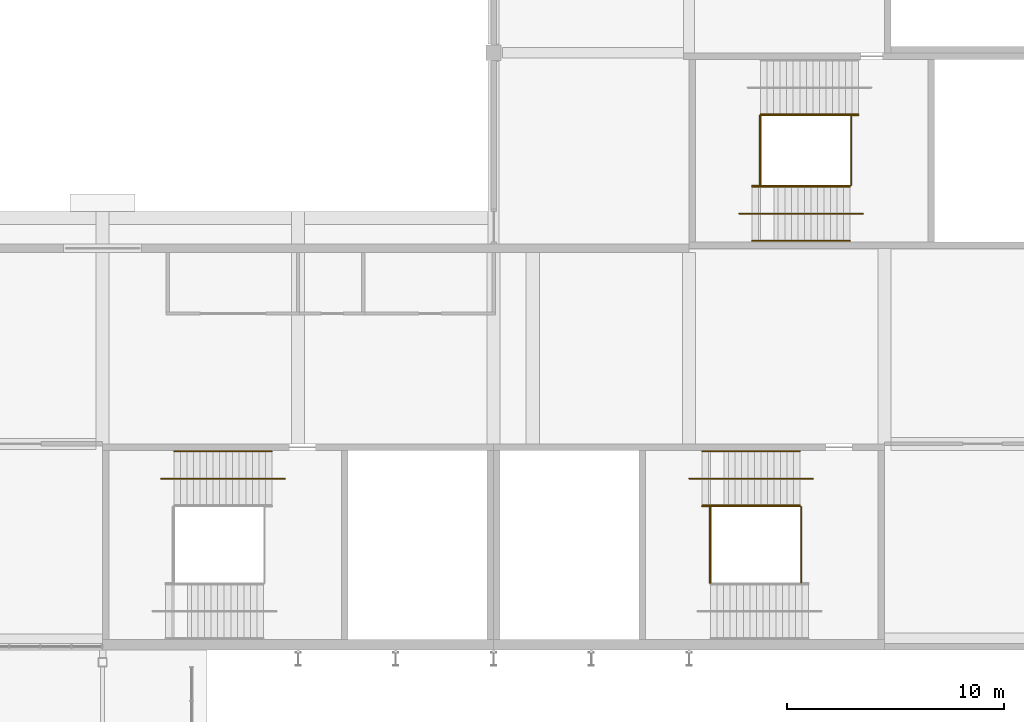
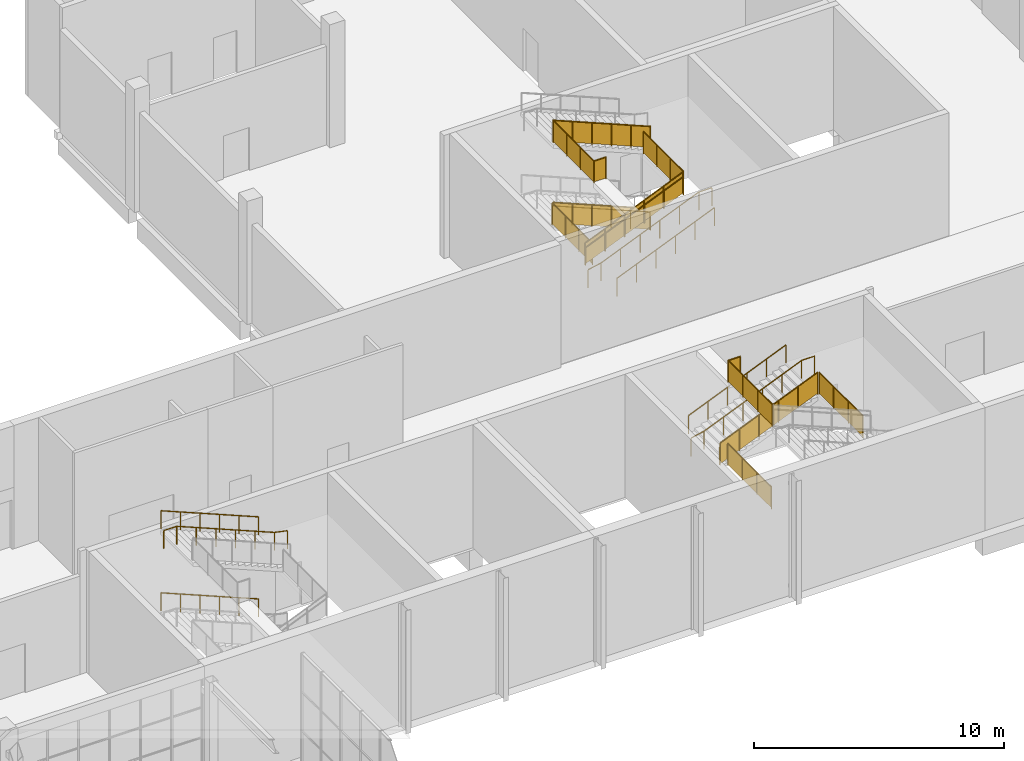
# One storey, part 74 of 89: 20 railings.
"""IFC4 building model written with IfcOpenShell, lengths in metres."""

from ifc_helpers import new_model, si_unit, direction, frame, origin, origin_2d, place, context, subcontext, project, spatial, polyline, circle, outline, extrude, material, type_object, element, save


model = new_model("IFC4")

# Units and contexts
model_context = context("Model", 3, precision=1e-05, world=origin(), true_north=direction((0.0, 1.0)))
body_context = subcontext(model_context, "Body", "Model", "MODEL_VIEW")
ifc_project = project(units=[si_unit("LENGTHUNIT", "METRE"), si_unit("AREAUNIT", "SQUARE_METRE"), si_unit("VOLUMEUNIT", "CUBIC_METRE"), si_unit("PLANEANGLEUNIT", "RADIAN"), si_unit("MASSUNIT", "GRAM", prefix="KILO")], contexts=[model_context])

# Site, building, storey
site_placement = place(None, origin())
site = spatial("IfcSite", under=ifc_project, at=site_placement, CompositionType="ELEMENT")
building_placement = place(site_placement, origin())
building = spatial("IfcBuilding", under=site, at=building_placement, Name="Silverbay Arena", CompositionType="ELEMENT")
storey_placement = place(building_placement, frame((0.0, 0.0, 22.0)))
storey = spatial("IfcBuildingStorey", under=building, at=storey_placement, Name="L03", CompositionType="ELEMENT", Elevation=22.0)

# Railings
ifc_material_1 = material(Name="Stainless steel", Category="steel")
railing_type_1 = type_object("IfcRailingType", Name="Stair guard 1100", PredefinedType="GUARDRAIL", material=ifc_material_1)
railing_1_placement = place(storey_placement, frame((171.60009765625, 24.125, 2.125)))
element("IfcRailing", 1, at=railing_1_placement, inside=storey, type_object=railing_type_1, Name="Stair ST-S4 L03 to L04 flight 2 guard right", PredefinedType="GUARDRAIL", context=body_context, shape_type="SweptSolid", body=[
    extrude(circle(Radius=0.02392578125, at=origin_2d()), frame((0.0, 0.0, 1.076171875), z_axis=(0.923076923077, 0.0, 0.384615384615), x_axis=(0.0, 1.0, 0.0)), (0.0, 0.0, 1.0), 4.875),
    extrude(outline(polyline([(-0.008056640625, 0.046630859375), (0.907958984375, 0.42822265625), (0.907958984375, 1.431396484375), (-0.008056640625, 1.049560546875), (-0.008056640625, 0.046630859375)])), frame((0.0, 0.0029296875, 0.0), z_axis=(0.0, -1.0, 0.0), x_axis=(1.0, 0.0, 0.0)), (0.0, 0.0, 1.0), 0.006103515625),
    extrude(outline(polyline([(-0.008056640625, 0.421630859375), (0.907958984375, 0.80322265625), (0.907958984375, 1.806396484375), (-0.008056640625, 1.424560546875), (-0.008056640625, 0.421630859375)])), frame((0.89990234375, 0.0029296875, 0.0), z_axis=(0.0, -1.0, 0.0), x_axis=(1.0, 0.0, 0.0)), (0.0, 0.0, 1.0), 0.006103515625),
    extrude(outline(polyline([(-0.008056640625, 0.796630859375), (0.907958984375, 1.17822265625), (0.907958984375, 2.181396484375), (-0.008056640625, 1.799560546875), (-0.008056640625, 0.796630859375)])), frame((1.800048828125, 0.0029296875, 0.0), z_axis=(0.0, -1.0, 0.0), x_axis=(1.0, 0.0, 0.0)), (0.0, 0.0, 1.0), 0.006103515625),
    extrude(outline(polyline([(-0.008056640625, 1.171630859375), (0.907958984375, 1.55322265625), (0.907958984375, 2.556396484375), (-0.008056640625, 2.174560546875), (-0.008056640625, 1.171630859375)])), frame((2.699951171875, 0.0029296875, 0.0), z_axis=(0.0, -1.0, 0.0), x_axis=(1.0, 0.0, 0.0)), (0.0, 0.0, 1.0), 0.006103515625),
    extrude(outline(polyline([(-0.008056640625, 1.546630859375), (0.907958984375, 1.92822265625), (0.907958984375, 2.931396484375), (-0.008056640625, 2.549560546875), (-0.008056640625, 1.546630859375)])), frame((3.60009765625, 0.0029296875, 0.0), z_axis=(0.0, -1.0, 0.0), x_axis=(1.0, 0.0, 0.0)), (0.0, 0.0, 1.0), 0.006103515625),
    extrude(circle(Radius=0.02099609375, at=origin_2d()), origin(), (0.0, 0.0, 1.0), 1.052001953125),
    extrude(circle(Radius=0.02099609375, at=origin_2d()), frame((0.89990234375, 0.0, 0.375)), (0.0, 0.0, 1.0), 1.052001953125),
    extrude(circle(Radius=0.02099609375, at=origin_2d()), frame((1.800048828125, 0.0, 0.75)), (0.0, 0.0, 1.0), 1.052001953125),
    extrude(circle(Radius=0.02099609375, at=origin_2d()), frame((2.699951171875, 0.0, 1.125)), (0.0, 0.0, 1.0), 1.052001953125),
    extrude(circle(Radius=0.02099609375, at=origin_2d()), frame((3.60009765625, 0.0, 1.5)), (0.0, 0.0, 1.0), 1.052001953125),
    extrude(circle(Radius=0.02099609375, at=origin_2d()), frame((4.5, 0.0, 1.875)), (0.0, 0.0, 1.0), 1.052001953125),
])
for number, where, name in (
    (2, (171.93994140625, 24.10009765625, 2.0), "Stair ST-S4 L03 to L04 landing 1 guard"),
    (3, (176.14990234375, 24.10009765625, 4.0), "Stair ST-S4 L03 to L04 landing 2 guard"),
):
    element("IfcRailing", number, at=place(storey_placement, frame(where)), inside=storey, type_object=railing_type_1, Name=name, PredefinedType="GUARDRAIL", context=body_context, shape_type="SweptSolid", body=[
        extrude(circle(Radius=0.02392578125, at=origin_2d()), frame((0.0, 0.0, 1.076171875), z_axis=(0.0, -1.0, 0.0), x_axis=(1.0, 0.0, 0.0)), (0.0, 0.0, 1.0), 3.5),
        extrude(outline(polyline([(-0.008056640625, 0.050048828125), (1.174560546875, 0.050048828125), (1.174560546875, 1.052978515625), (-0.008056640625, 1.052978515625), (-0.008056640625, 0.050048828125)])), frame((0.0029296875, 0.0, 0.0), z_axis=(-1.0, 0.0, 0.0), x_axis=(0.0, -1.0, 0.0)), (0.0, 0.0, 1.0), 0.006103515625),
        extrude(outline(polyline([(-0.008056640625, 0.050048828125), (1.174560546875, 0.050048828125), (1.174560546875, 1.052978515625), (-0.008056640625, 1.052978515625), (-0.008056640625, 0.050048828125)])), frame((0.0029296875, -1.166748046875, 0.0), z_axis=(-1.0, 0.0, 0.0), x_axis=(0.0, -1.0, 0.0)), (0.0, 0.0, 1.0), 0.006103515625),
        extrude(outline(polyline([(-0.008056640625, 0.050048828125), (1.174560546875, 0.050048828125), (1.174560546875, 1.052978515625), (-0.008056640625, 1.052978515625), (-0.008056640625, 0.050048828125)])), frame((0.0029296875, -2.333251953125, 0.0), z_axis=(-1.0, 0.0, 0.0), x_axis=(0.0, -1.0, 0.0)), (0.0, 0.0, 1.0), 0.006103515625),
        extrude(circle(Radius=0.02099609375, at=origin_2d()), origin(), (0.0, 0.0, 1.0), 1.052001953125),
        extrude(circle(Radius=0.02099609375, at=origin_2d()), frame((0.0, -1.166748046875, 0.0)), (0.0, 0.0, 1.0), 1.052001953125),
        extrude(circle(Radius=0.02099609375, at=origin_2d()), frame((0.0, -2.333251953125, 0.0)), (0.0, 0.0, 1.0), 1.052001953125),
        extrude(circle(Radius=0.02099609375, at=origin_2d()), frame((0.0, -3.5, 0.0)), (0.0, 0.0, 1.0), 1.052001953125),
    ])
railing_2_placement = place(storey_placement, frame((172.550048828125, 24.14990234375, 6.0)))
element("IfcRailing", 4, at=railing_2_placement, inside=storey, type_object=railing_type_1, Name="Stair ST-S4 L03 to L04 landing 3 guard", PredefinedType="GUARDRAIL", context=body_context, shape_type="SweptSolid", body=[
    extrude(circle(Radius=0.02392578125, at=origin_2d()), frame((0.0, 0.0, 1.076171875), z_axis=(-1.0, 0.0, 0.0), x_axis=(0.0, -1.0, 0.0)), (0.0, 0.0, 1.0), 0.56005859375),
    extrude(outline(polyline([(-0.008056640625, 0.050048828125), (0.568115234375, 0.050048828125), (0.568115234375, 1.052978515625), (-0.008056640625, 1.052978515625), (-0.008056640625, 0.050048828125)])), frame((0.0, -0.0029296875, 0.0), z_axis=(0.0, 1.0, 0.0), x_axis=(-1.0, 0.0, 0.0)), (0.0, 0.0, 1.0), 0.006103515625),
    extrude(circle(Radius=0.02392578125, at=origin_2d()), frame((-0.56005859375, 0.0, 1.076171875), z_axis=(0.0, -1.0, 0.0), x_axis=(1.0, 0.0, 0.0)), (0.0, 0.0, 1.0), 3.5498046875),
    extrude(outline(polyline([(-0.008056640625, 0.050048828125), (1.191162109375, 0.050048828125), (1.191162109375, 1.052978515625), (-0.008056640625, 1.052978515625), (-0.008056640625, 0.050048828125)])), frame((-0.55712890625, 0.0, 0.0), z_axis=(-1.0, 0.0, 0.0), x_axis=(0.0, -1.0, 0.0)), (0.0, 0.0, 1.0), 0.006103515625),
    extrude(outline(polyline([(-0.008056640625, 0.050048828125), (1.191162109375, 0.050048828125), (1.191162109375, 1.052978515625), (-0.008056640625, 1.052978515625), (-0.008056640625, 0.050048828125)])), frame((-0.55712890625, -1.183349609375, 0.0), z_axis=(-1.0, 0.0, 0.0), x_axis=(0.0, -1.0, 0.0)), (0.0, 0.0, 1.0), 0.006103515625),
    extrude(outline(polyline([(-0.008056640625, 0.050048828125), (1.191162109375, 0.050048828125), (1.191162109375, 1.052978515625), (-0.008056640625, 1.052978515625), (-0.008056640625, 0.050048828125)])), frame((-0.55712890625, -2.366455078125, 0.0), z_axis=(-1.0, 0.0, 0.0), x_axis=(0.0, -1.0, 0.0)), (0.0, 0.0, 1.0), 0.006103515625),
    extrude(circle(Radius=0.02099609375, at=origin_2d()), origin(), (0.0, 0.0, 1.0), 1.052001953125),
    extrude(circle(Radius=0.02099609375, at=origin_2d()), frame((-0.56005859375, 0.0, 0.0)), (0.0, 0.0, 1.0), 1.052001953125),
    extrude(circle(Radius=0.02099609375, at=origin_2d()), frame((-0.56005859375, -1.183349609375, 0.0)), (0.0, 0.0, 1.0), 1.052001953125),
    extrude(circle(Radius=0.02099609375, at=origin_2d()), frame((-0.56005859375, -2.366455078125, 0.0)), (0.0, 0.0, 1.0), 1.052001953125),
    extrude(circle(Radius=0.02099609375, at=origin_2d()), frame((-0.56005859375, -3.5498046875, 0.0)), (0.0, 0.0, 1.0), 1.052001953125),
])
railing_3_placement = place(storey_placement, frame((178.7900390625, 42.125, 0.125)))
element("IfcRailing", 5, at=railing_3_placement, inside=storey, type_object=railing_type_1, Name="Stair ST-SE1 L03 to L04 flight 1 guard right", PredefinedType="GUARDRAIL", context=body_context, shape_type="SweptSolid", body=[
    extrude(circle(Radius=0.02392578125, at=origin_2d()), frame((0.0, 0.0, 1.076171875), z_axis=(-0.923076923077, 0.0, 0.384615384615), x_axis=(0.0, -1.0, 0.0)), (0.0, 0.0, 1.0), 4.875),
    extrude(outline(polyline([(-0.008056640625, 0.046630859375), (0.907958984375, 0.42822265625), (0.907958984375, 1.431396484375), (-0.008056640625, 1.049560546875), (-0.008056640625, 0.046630859375)])), frame((0.0, -0.0029296875, 0.0), z_axis=(0.0, 1.0, 0.0), x_axis=(-1.0, 0.0, 0.0)), (0.0, 0.0, 1.0), 0.006103515625),
    extrude(outline(polyline([(-0.008056640625, 0.421630859375), (0.907958984375, 0.80322265625), (0.907958984375, 1.806396484375), (-0.008056640625, 1.424560546875), (-0.008056640625, 0.421630859375)])), frame((-0.89990234375, -0.0029296875, 0.0), z_axis=(0.0, 1.0, 0.0), x_axis=(-1.0, 0.0, 0.0)), (0.0, 0.0, 1.0), 0.006103515625),
    extrude(outline(polyline([(-0.008056640625, 0.796630859375), (0.907958984375, 1.17822265625), (0.907958984375, 2.181396484375), (-0.008056640625, 1.799560546875), (-0.008056640625, 0.796630859375)])), frame((-1.800048828125, -0.0029296875, 0.0), z_axis=(0.0, 1.0, 0.0), x_axis=(-1.0, 0.0, 0.0)), (0.0, 0.0, 1.0), 0.006103515625),
    extrude(outline(polyline([(-0.008056640625, 1.171630859375), (0.907958984375, 1.55322265625), (0.907958984375, 2.556396484375), (-0.008056640625, 2.174560546875), (-0.008056640625, 1.171630859375)])), frame((-2.699951171875, -0.0029296875, 0.0), z_axis=(0.0, 1.0, 0.0), x_axis=(-1.0, 0.0, 0.0)), (0.0, 0.0, 1.0), 0.006103515625),
    extrude(outline(polyline([(-0.008056640625, 1.546630859375), (0.907958984375, 1.92822265625), (0.907958984375, 2.931396484375), (-0.008056640625, 2.549560546875), (-0.008056640625, 1.546630859375)])), frame((-3.60009765625, -0.0029296875, 0.0), z_axis=(0.0, 1.0, 0.0), x_axis=(-1.0, 0.0, 0.0)), (0.0, 0.0, 1.0), 0.006103515625),
    extrude(circle(Radius=0.02099609375, at=origin_2d()), origin(), (0.0, 0.0, 1.0), 1.052001953125),
    extrude(circle(Radius=0.02099609375, at=origin_2d()), frame((-0.89990234375, 0.0, 0.375)), (0.0, 0.0, 1.0), 1.052001953125),
    extrude(circle(Radius=0.02099609375, at=origin_2d()), frame((-1.800048828125, 0.0, 0.75)), (0.0, 0.0, 1.0), 1.052001953125),
    extrude(circle(Radius=0.02099609375, at=origin_2d()), frame((-2.699951171875, 0.0, 1.125)), (0.0, 0.0, 1.0), 1.052001953125),
    extrude(circle(Radius=0.02099609375, at=origin_2d()), frame((-3.60009765625, 0.0, 1.5)), (0.0, 0.0, 1.0), 1.052001953125),
    extrude(circle(Radius=0.02099609375, at=origin_2d()), frame((-4.5, 0.0, 1.875)), (0.0, 0.0, 1.0), 1.052001953125),
])
railing_4_placement = place(storey_placement, frame((173.89990234375, 38.875, 2.125)))
element("IfcRailing", 6, at=railing_4_placement, inside=storey, type_object=railing_type_1, Name="Stair ST-SE1 L03 to L04 flight 2 guard left", PredefinedType="GUARDRAIL", context=body_context, shape_type="SweptSolid", body=[
    extrude(circle(Radius=0.02392578125, at=origin_2d()), frame((0.0, 0.0, 1.076171875), z_axis=(0.923076923077, 0.0, 0.384615384615), x_axis=(0.0, 1.0, 0.0)), (0.0, 0.0, 1.0), 4.875),
    extrude(outline(polyline([(-0.008056640625, 0.046630859375), (0.907958984375, 0.42822265625), (0.907958984375, 1.431396484375), (-0.008056640625, 1.049560546875), (-0.008056640625, 0.046630859375)])), frame((0.0, 0.0029296875, 0.0), z_axis=(0.0, -1.0, 0.0), x_axis=(1.0, 0.0, 0.0)), (0.0, 0.0, 1.0), 0.006103515625),
    extrude(outline(polyline([(-0.008056640625, 0.421630859375), (0.907958984375, 0.80322265625), (0.907958984375, 1.806396484375), (-0.008056640625, 1.424560546875), (-0.008056640625, 0.421630859375)])), frame((0.89990234375, 0.0029296875, 0.0), z_axis=(0.0, -1.0, 0.0), x_axis=(1.0, 0.0, 0.0)), (0.0, 0.0, 1.0), 0.006103515625),
    extrude(outline(polyline([(-0.008056640625, 0.796630859375), (0.907958984375, 1.17822265625), (0.907958984375, 2.181396484375), (-0.008056640625, 1.799560546875), (-0.008056640625, 0.796630859375)])), frame((1.800048828125, 0.0029296875, 0.0), z_axis=(0.0, -1.0, 0.0), x_axis=(1.0, 0.0, 0.0)), (0.0, 0.0, 1.0), 0.006103515625),
    extrude(outline(polyline([(-0.008056640625, 1.171630859375), (0.907958984375, 1.55322265625), (0.907958984375, 2.556396484375), (-0.008056640625, 2.174560546875), (-0.008056640625, 1.171630859375)])), frame((2.699951171875, 0.0029296875, 0.0), z_axis=(0.0, -1.0, 0.0), x_axis=(1.0, 0.0, 0.0)), (0.0, 0.0, 1.0), 0.006103515625),
    extrude(outline(polyline([(-0.008056640625, 1.546630859375), (0.907958984375, 1.92822265625), (0.907958984375, 2.931396484375), (-0.008056640625, 2.549560546875), (-0.008056640625, 1.546630859375)])), frame((3.60009765625, 0.0029296875, 0.0), z_axis=(0.0, -1.0, 0.0), x_axis=(1.0, 0.0, 0.0)), (0.0, 0.0, 1.0), 0.006103515625),
    extrude(circle(Radius=0.02099609375, at=origin_2d()), origin(), (0.0, 0.0, 1.0), 1.052001953125),
    extrude(circle(Radius=0.02099609375, at=origin_2d()), frame((0.89990234375, 0.0, 0.375)), (0.0, 0.0, 1.0), 1.052001953125),
    extrude(circle(Radius=0.02099609375, at=origin_2d()), frame((1.800048828125, 0.0, 0.75)), (0.0, 0.0, 1.0), 1.052001953125),
    extrude(circle(Radius=0.02099609375, at=origin_2d()), frame((2.699951171875, 0.0, 1.125)), (0.0, 0.0, 1.0), 1.052001953125),
    extrude(circle(Radius=0.02099609375, at=origin_2d()), frame((3.60009765625, 0.0, 1.5)), (0.0, 0.0, 1.0), 1.052001953125),
    extrude(circle(Radius=0.02099609375, at=origin_2d()), frame((4.5, 0.0, 1.875)), (0.0, 0.0, 1.0), 1.052001953125),
])
railing_5_placement = place(storey_placement, frame((178.7900390625, 42.125, 4.125)))
element("IfcRailing", 7, at=railing_5_placement, inside=storey, type_object=railing_type_1, Name="Stair ST-SE1 L03 to L04 flight 3 guard right", PredefinedType="GUARDRAIL", context=body_context, shape_type="SweptSolid", body=[
    extrude(circle(Radius=0.02392578125, at=origin_2d()), frame((0.0, 0.0, 1.076171875), z_axis=(-0.923076923077, 0.0, 0.384615384615), x_axis=(0.0, -1.0, 0.0)), (0.0, 0.0, 1.0), 4.875),
    extrude(outline(polyline([(-0.008056640625, 0.046630859375), (0.907958984375, 0.42822265625), (0.907958984375, 1.431396484375), (-0.008056640625, 1.049560546875), (-0.008056640625, 0.046630859375)])), frame((0.0, -0.0029296875, 0.0), z_axis=(0.0, 1.0, 0.0), x_axis=(-1.0, 0.0, 0.0)), (0.0, 0.0, 1.0), 0.006103515625),
    extrude(outline(polyline([(-0.008056640625, 0.421630859375), (0.907958984375, 0.80322265625), (0.907958984375, 1.806396484375), (-0.008056640625, 1.424560546875), (-0.008056640625, 0.421630859375)])), frame((-0.89990234375, -0.0029296875, 0.0), z_axis=(0.0, 1.0, 0.0), x_axis=(-1.0, 0.0, 0.0)), (0.0, 0.0, 1.0), 0.006103515625),
    extrude(outline(polyline([(-0.008056640625, 0.796630859375), (0.907958984375, 1.17822265625), (0.907958984375, 2.181396484375), (-0.008056640625, 1.799560546875), (-0.008056640625, 0.796630859375)])), frame((-1.800048828125, -0.0029296875, 0.0), z_axis=(0.0, 1.0, 0.0), x_axis=(-1.0, 0.0, 0.0)), (0.0, 0.0, 1.0), 0.006103515625),
    extrude(outline(polyline([(-0.008056640625, 1.171630859375), (0.907958984375, 1.55322265625), (0.907958984375, 2.556396484375), (-0.008056640625, 2.174560546875), (-0.008056640625, 1.171630859375)])), frame((-2.699951171875, -0.0029296875, 0.0), z_axis=(0.0, 1.0, 0.0), x_axis=(-1.0, 0.0, 0.0)), (0.0, 0.0, 1.0), 0.006103515625),
    extrude(outline(polyline([(-0.008056640625, 1.546630859375), (0.907958984375, 1.92822265625), (0.907958984375, 2.931396484375), (-0.008056640625, 2.549560546875), (-0.008056640625, 1.546630859375)])), frame((-3.60009765625, -0.0029296875, 0.0), z_axis=(0.0, 1.0, 0.0), x_axis=(-1.0, 0.0, 0.0)), (0.0, 0.0, 1.0), 0.006103515625),
    extrude(circle(Radius=0.02099609375, at=origin_2d()), origin(), (0.0, 0.0, 1.0), 1.052001953125),
    extrude(circle(Radius=0.02099609375, at=origin_2d()), frame((-0.89990234375, 0.0, 0.375)), (0.0, 0.0, 1.0), 1.052001953125),
    extrude(circle(Radius=0.02099609375, at=origin_2d()), frame((-1.800048828125, 0.0, 0.75)), (0.0, 0.0, 1.0), 1.052001953125),
    extrude(circle(Radius=0.02099609375, at=origin_2d()), frame((-2.699951171875, 0.0, 1.125)), (0.0, 0.0, 1.0), 1.052001953125),
    extrude(circle(Radius=0.02099609375, at=origin_2d()), frame((-3.60009765625, 0.0, 1.5)), (0.0, 0.0, 1.0), 1.052001953125),
    extrude(circle(Radius=0.02099609375, at=origin_2d()), frame((-4.5, 0.0, 1.875)), (0.0, 0.0, 1.0), 1.052001953125),
])
for number, where, name in (
    (8, (174.239990234375, 42.10009765625, 2.0), "Stair ST-SE1 L03 to L04 landing 1 guard"),
    (9, (178.449951171875, 42.10009765625, 4.0), "Stair ST-SE1 L03 to L04 landing 2 guard"),
):
    element("IfcRailing", number, at=place(storey_placement, frame(where)), inside=storey, type_object=railing_type_1, Name=name, PredefinedType="GUARDRAIL", context=body_context, shape_type="SweptSolid", body=[
        extrude(circle(Radius=0.02392578125, at=origin_2d()), frame((0.0, 0.0, 1.076171875), z_axis=(0.0, -1.0, 0.0), x_axis=(1.0, 0.0, 0.0)), (0.0, 0.0, 1.0), 3.2001953125),
        extrude(outline(polyline([(-0.008056640625, 0.050048828125), (1.07470703125, 0.050048828125), (1.07470703125, 1.052978515625), (-0.008056640625, 1.052978515625), (-0.008056640625, 0.050048828125)])), frame((0.0029296875, 0.0, 0.0), z_axis=(-1.0, 0.0, 0.0), x_axis=(0.0, -1.0, 0.0)), (0.0, 0.0, 1.0), 0.006103515625),
        extrude(outline(polyline([(-0.008056640625, 0.050048828125), (1.07470703125, 0.050048828125), (1.07470703125, 1.052978515625), (-0.008056640625, 1.052978515625), (-0.008056640625, 0.050048828125)])), frame((0.0029296875, -1.066650390625, 0.0), z_axis=(-1.0, 0.0, 0.0), x_axis=(0.0, -1.0, 0.0)), (0.0, 0.0, 1.0), 0.006103515625),
        extrude(outline(polyline([(-0.008056640625, 0.050048828125), (1.07470703125, 0.050048828125), (1.07470703125, 1.052978515625), (-0.008056640625, 1.052978515625), (-0.008056640625, 0.050048828125)])), frame((0.0029296875, -2.133544921875, 0.0), z_axis=(-1.0, 0.0, 0.0), x_axis=(0.0, -1.0, 0.0)), (0.0, 0.0, 1.0), 0.006103515625),
        extrude(circle(Radius=0.02099609375, at=origin_2d()), origin(), (0.0, 0.0, 1.0), 1.052001953125),
        extrude(circle(Radius=0.02099609375, at=origin_2d()), frame((0.0, -1.066650390625, 0.0)), (0.0, 0.0, 1.0), 1.052001953125),
        extrude(circle(Radius=0.02099609375, at=origin_2d()), frame((0.0, -2.133544921875, 0.0)), (0.0, 0.0, 1.0), 1.052001953125),
        extrude(circle(Radius=0.02099609375, at=origin_2d()), frame((0.0, -3.2001953125, 0.0)), (0.0, 0.0, 1.0), 1.052001953125),
    ])
railing_6_placement = place(storey_placement, frame((174.85009765625, 38.85009765625, 6.0)))
element("IfcRailing", 10, at=railing_6_placement, inside=storey, type_object=railing_type_1, Name="Stair ST-SE1 L03 to L04 landing 3 guard", PredefinedType="GUARDRAIL", context=body_context, shape_type="SweptSolid", body=[
    extrude(circle(Radius=0.02392578125, at=origin_2d()), frame((0.0, 0.0, 1.076171875), z_axis=(-1.0, 0.0, 0.0), x_axis=(0.0, -1.0, 0.0)), (0.0, 0.0, 1.0), 0.56005859375),
    extrude(outline(polyline([(-0.008056640625, 0.050048828125), (0.568115234375, 0.050048828125), (0.568115234375, 1.052978515625), (-0.008056640625, 1.052978515625), (-0.008056640625, 0.050048828125)])), frame((0.0, -0.0029296875, 0.0), z_axis=(0.0, 1.0, 0.0), x_axis=(-1.0, 0.0, 0.0)), (0.0, 0.0, 1.0), 0.006103515625),
    extrude(circle(Radius=0.02392578125, at=origin_2d()), frame((-0.56005859375, 0.0, 1.076171875), z_axis=(0.0, 1.0, 0.0), x_axis=(-1.0, 0.0, 0.0)), (0.0, 0.0, 1.0), 3.25),
    extrude(outline(polyline([(-0.008056640625, 0.050048828125), (1.09130859375, 0.050048828125), (1.09130859375, 1.052978515625), (-0.008056640625, 1.052978515625), (-0.008056640625, 0.050048828125)])), frame((-0.56298828125, 0.0, 0.0), z_axis=(1.0, 0.0, 0.0), x_axis=(0.0, 1.0, 0.0)), (0.0, 0.0, 1.0), 0.006103515625),
    extrude(outline(polyline([(-0.008056640625, 0.050048828125), (1.09130859375, 0.050048828125), (1.09130859375, 1.052978515625), (-0.008056640625, 1.052978515625), (-0.008056640625, 0.050048828125)])), frame((-0.56298828125, 1.083251953125, 0.0), z_axis=(1.0, 0.0, 0.0), x_axis=(0.0, 1.0, 0.0)), (0.0, 0.0, 1.0), 0.006103515625),
    extrude(outline(polyline([(-0.008056640625, 0.050048828125), (1.09130859375, 0.050048828125), (1.09130859375, 1.052978515625), (-0.008056640625, 1.052978515625), (-0.008056640625, 0.050048828125)])), frame((-0.56298828125, 2.166748046875, 0.0), z_axis=(1.0, 0.0, 0.0), x_axis=(0.0, 1.0, 0.0)), (0.0, 0.0, 1.0), 0.006103515625),
    extrude(circle(Radius=0.02099609375, at=origin_2d()), origin(), (0.0, 0.0, 1.0), 1.052001953125),
    extrude(circle(Radius=0.02099609375, at=origin_2d()), frame((-0.56005859375, 0.0, 0.0)), (0.0, 0.0, 1.0), 1.052001953125),
    extrude(circle(Radius=0.02099609375, at=origin_2d()), frame((-0.56005859375, 1.083251953125, 0.0)), (0.0, 0.0, 1.0), 1.052001953125),
    extrude(circle(Radius=0.02099609375, at=origin_2d()), frame((-0.56005859375, 2.166748046875, 0.0)), (0.0, 0.0, 1.0), 1.052001953125),
    extrude(circle(Radius=0.02099609375, at=origin_2d()), frame((-0.56005859375, 3.25, 0.0)), (0.0, 0.0, 1.0), 1.052001953125),
])
ifc_material_2 = material(Name="Stainless steel", Category="steel")
railing_type_2 = type_object("IfcRailingType", Name="Stair handrail 900", PredefinedType="HANDRAIL", material=ifc_material_2)
for number, where, name in (
    (11, (151.7900390625, 26.64990234375, 0.125), "Stair ST-S3 L03 to L04 flight 1 handrail left"),
    (12, (151.7900390625, 26.64990234375, 4.125), "Stair ST-S3 L03 to L04 flight 3 handrail left"),
):
    element("IfcRailing", number, at=place(storey_placement, frame(where)), inside=storey, type_object=railing_type_2, Name=name, PredefinedType="HANDRAIL", context=body_context, shape_type="SweptSolid", body=[
        extrude(circle(Radius=0.02392578125, at=origin_2d()), frame((0.0, 0.0, 0.8759765625), z_axis=(-0.923076923077, 0.0, 0.384615384615), x_axis=(0.0, -1.0, 0.0)), (0.0, 0.0, 1.0), 4.875),
        extrude(circle(Radius=0.02099609375, at=origin_2d()), origin(), (0.0, 0.0, 1.0), 0.851806640625),
        extrude(circle(Radius=0.02099609375, at=origin_2d()), frame((-0.89990234375, 0.0, 0.375)), (0.0, 0.0, 1.0), 0.851806640625),
        extrude(circle(Radius=0.02099609375, at=origin_2d()), frame((-1.800048828125, 0.0, 0.75)), (0.0, 0.0, 1.0), 0.851806640625),
        extrude(circle(Radius=0.02099609375, at=origin_2d()), frame((-2.699951171875, 0.0, 1.125)), (0.0, 0.0, 1.0), 0.851806640625),
        extrude(circle(Radius=0.02099609375, at=origin_2d()), frame((-3.60009765625, 0.0, 1.5)), (0.0, 0.0, 1.0), 0.851806640625),
        extrude(circle(Radius=0.02099609375, at=origin_2d()), frame((-4.5, 0.0, 1.875)), (0.0, 0.0, 1.0), 0.851806640625),
    ])
railing_7_placement = place(storey_placement, frame((152.389892578125, 25.39990234375, 4.0)))
element("IfcRailing", 13, at=railing_7_placement, inside=storey, type_object=railing_type_2, Name="Stair ST-S3 L03 to L04 flight 3 central handrail", PredefinedType="HANDRAIL", context=body_context, shape_type="SweptSolid", body=[
    extrude(circle(Radius=0.02392578125, at=origin_2d()), frame((0.0, 0.0, 0.8759765625), z_axis=(-0.978970474113, 0.0, 0.20400198728), x_axis=(0.0, -1.0, 0.0)), (0.0, 0.0, 1.0), 0.61279296875),
    extrude(circle(Radius=0.02392578125, at=origin_2d()), frame((-0.599853515625, 0.0, 1.0009765625), z_axis=(-0.923076923077, 0.0, 0.384615384615), x_axis=(0.0, -1.0, 0.0)), (0.0, 0.0, 1.0), 4.875),
    extrude(circle(Radius=0.02392578125, at=origin_2d()), frame((-5.099853515625, 0.0, 2.8759765625), z_axis=(-1.0, 0.0, 0.0), x_axis=(0.0, -1.0, 0.0)), (0.0, 0.0, 1.0), 0.60009765625),
    extrude(circle(Radius=0.02099609375, at=origin_2d()), origin(), (0.0, 0.0, 1.0), 0.851806640625),
    extrude(circle(Radius=0.02099609375, at=origin_2d()), frame((-0.599853515625, 0.0, 0.125)), (0.0, 0.0, 1.0), 0.851806640625),
    extrude(circle(Radius=0.02099609375, at=origin_2d()), frame((-1.499755859375, 0.0, 0.5)), (0.0, 0.0, 1.0), 0.851806640625),
    extrude(circle(Radius=0.02099609375, at=origin_2d()), frame((-2.39990234375, 0.0, 0.875)), (0.0, 0.0, 1.0), 0.851806640625),
    extrude(circle(Radius=0.02099609375, at=origin_2d()), frame((-3.2998046875, 0.0, 1.25)), (0.0, 0.0, 1.0), 0.851806640625),
    extrude(circle(Radius=0.02099609375, at=origin_2d()), frame((-4.199951171875, 0.0, 1.625)), (0.0, 0.0, 1.0), 0.851806640625),
    extrude(circle(Radius=0.02099609375, at=origin_2d()), frame((-5.099853515625, 0.0, 2.0)), (0.0, 0.0, 1.0), 0.851806640625),
    extrude(circle(Radius=0.02099609375, at=origin_2d()), frame((-5.699951171875, 0.0, 2.0)), (0.0, 0.0, 1.0), 0.851806640625),
])
for number, where, name in (
    (14, (171.60009765625, 26.64990234375, 2.125), "Stair ST-S4 L03 to L04 flight 2 handrail left"),
    (15, (171.60009765625, 24.1640625, 2.125), "Stair ST-S4 L03 to L04 flight 2 handrail right"),
):
    element("IfcRailing", number, at=place(storey_placement, frame(where)), inside=storey, type_object=railing_type_2, Name=name, PredefinedType="HANDRAIL", context=body_context, shape_type="SweptSolid", body=[
        extrude(circle(Radius=0.02392578125, at=origin_2d()), frame((0.0, 0.0, 0.8759765625), z_axis=(0.923076923077, 0.0, 0.384615384615), x_axis=(0.0, 1.0, 0.0)), (0.0, 0.0, 1.0), 4.875),
        extrude(circle(Radius=0.02099609375, at=origin_2d()), origin(), (0.0, 0.0, 1.0), 0.851806640625),
        extrude(circle(Radius=0.02099609375, at=origin_2d()), frame((0.89990234375, 0.0, 0.375)), (0.0, 0.0, 1.0), 0.851806640625),
        extrude(circle(Radius=0.02099609375, at=origin_2d()), frame((1.800048828125, 0.0, 0.75)), (0.0, 0.0, 1.0), 0.851806640625),
        extrude(circle(Radius=0.02099609375, at=origin_2d()), frame((2.699951171875, 0.0, 1.125)), (0.0, 0.0, 1.0), 0.851806640625),
        extrude(circle(Radius=0.02099609375, at=origin_2d()), frame((3.60009765625, 0.0, 1.5)), (0.0, 0.0, 1.0), 0.851806640625),
        extrude(circle(Radius=0.02099609375, at=origin_2d()), frame((4.5, 0.0, 1.875)), (0.0, 0.0, 1.0), 0.851806640625),
    ])
railing_8_placement = place(storey_placement, frame((171.0, 25.39990234375, 2.0)))
element("IfcRailing", 16, at=railing_8_placement, inside=storey, type_object=railing_type_2, Name="Stair ST-S4 L03 to L04 flight 2 central handrail", PredefinedType="HANDRAIL", context=body_context, shape_type="SweptSolid", body=[
    extrude(circle(Radius=0.02392578125, at=origin_2d()), frame((0.0, 0.0, 0.8759765625), z_axis=(0.978987046276, 0.0, 0.203922444139), x_axis=(0.0, 1.0, 0.0)), (0.0, 0.0, 1.0), 0.613037109375),
    extrude(circle(Radius=0.02392578125, at=origin_2d()), frame((0.60009765625, 0.0, 1.0009765625), z_axis=(0.923076923077, 0.0, 0.384615384615), x_axis=(0.0, 1.0, 0.0)), (0.0, 0.0, 1.0), 4.875),
    extrude(circle(Radius=0.02392578125, at=origin_2d()), frame((5.10009765625, 0.0, 2.8759765625), z_axis=(1.0, 0.0, 0.0), x_axis=(0.0, 1.0, 0.0)), (0.0, 0.0, 1.0), 0.599853515625),
    extrude(circle(Radius=0.02099609375, at=origin_2d()), origin(), (0.0, 0.0, 1.0), 0.851806640625),
    extrude(circle(Radius=0.02099609375, at=origin_2d()), frame((0.60009765625, 0.0, 0.125)), (0.0, 0.0, 1.0), 0.851806640625),
    extrude(circle(Radius=0.02099609375, at=origin_2d()), frame((1.5, 0.0, 0.5)), (0.0, 0.0, 1.0), 0.851806640625),
    extrude(circle(Radius=0.02099609375, at=origin_2d()), frame((2.400146484375, 0.0, 0.875)), (0.0, 0.0, 1.0), 0.851806640625),
    extrude(circle(Radius=0.02099609375, at=origin_2d()), frame((3.300048828125, 0.0, 1.25)), (0.0, 0.0, 1.0), 0.851806640625),
    extrude(circle(Radius=0.02099609375, at=origin_2d()), frame((4.2001953125, 0.0, 1.625)), (0.0, 0.0, 1.0), 0.851806640625),
    extrude(circle(Radius=0.02099609375, at=origin_2d()), frame((5.10009765625, 0.0, 2.0)), (0.0, 0.0, 1.0), 0.851806640625),
    extrude(circle(Radius=0.02099609375, at=origin_2d()), frame((5.699951171875, 0.0, 2.0)), (0.0, 0.0, 1.0), 0.851806640625),
])
railing_9_placement = place(storey_placement, frame((178.7900390625, 42.1640625, 0.125)))
element("IfcRailing", 17, at=railing_9_placement, inside=storey, type_object=railing_type_2, Name="Stair ST-SE1 L03 to L04 flight 1 handrail right", PredefinedType="HANDRAIL", context=body_context, shape_type="SweptSolid", body=[
    extrude(circle(Radius=0.02392578125, at=origin_2d()), frame((0.0, 0.0, 0.8759765625), z_axis=(-0.923076923077, 0.0, 0.384615384615), x_axis=(0.0, -1.0, 0.0)), (0.0, 0.0, 1.0), 4.875),
    extrude(circle(Radius=0.02099609375, at=origin_2d()), origin(), (0.0, 0.0, 1.0), 0.851806640625),
    extrude(circle(Radius=0.02099609375, at=origin_2d()), frame((-0.89990234375, 0.0, 0.375)), (0.0, 0.0, 1.0), 0.851806640625),
    extrude(circle(Radius=0.02099609375, at=origin_2d()), frame((-1.800048828125, 0.0, 0.75)), (0.0, 0.0, 1.0), 0.851806640625),
    extrude(circle(Radius=0.02099609375, at=origin_2d()), frame((-2.699951171875, 0.0, 1.125)), (0.0, 0.0, 1.0), 0.851806640625),
    extrude(circle(Radius=0.02099609375, at=origin_2d()), frame((-3.60009765625, 0.0, 1.5)), (0.0, 0.0, 1.0), 0.851806640625),
    extrude(circle(Radius=0.02099609375, at=origin_2d()), frame((-4.5, 0.0, 1.875)), (0.0, 0.0, 1.0), 0.851806640625),
])
for number, where, name in (
    (18, (173.89990234375, 38.8359375, 2.125), "Stair ST-SE1 L03 to L04 flight 2 handrail left"),
    (19, (173.89990234375, 36.35009765625, 2.125), "Stair ST-SE1 L03 to L04 flight 2 handrail right"),
):
    element("IfcRailing", number, at=place(storey_placement, frame(where)), inside=storey, type_object=railing_type_2, Name=name, PredefinedType="HANDRAIL", context=body_context, shape_type="SweptSolid", body=[
        extrude(circle(Radius=0.02392578125, at=origin_2d()), frame((0.0, 0.0, 0.8759765625), z_axis=(0.923076923077, 0.0, 0.384615384615), x_axis=(0.0, 1.0, 0.0)), (0.0, 0.0, 1.0), 4.875),
        extrude(circle(Radius=0.02099609375, at=origin_2d()), origin(), (0.0, 0.0, 1.0), 0.851806640625),
        extrude(circle(Radius=0.02099609375, at=origin_2d()), frame((0.89990234375, 0.0, 0.375)), (0.0, 0.0, 1.0), 0.851806640625),
        extrude(circle(Radius=0.02099609375, at=origin_2d()), frame((1.800048828125, 0.0, 0.75)), (0.0, 0.0, 1.0), 0.851806640625),
        extrude(circle(Radius=0.02099609375, at=origin_2d()), frame((2.699951171875, 0.0, 1.125)), (0.0, 0.0, 1.0), 0.851806640625),
        extrude(circle(Radius=0.02099609375, at=origin_2d()), frame((3.60009765625, 0.0, 1.5)), (0.0, 0.0, 1.0), 0.851806640625),
        extrude(circle(Radius=0.02099609375, at=origin_2d()), frame((4.5, 0.0, 1.875)), (0.0, 0.0, 1.0), 0.851806640625),
    ])
railing_10_placement = place(storey_placement, frame((173.300048828125, 37.60009765625, 2.0)))
element("IfcRailing", 20, at=railing_10_placement, inside=storey, type_object=railing_type_2, Name="Stair ST-SE1 L03 to L04 flight 2 central handrail", PredefinedType="HANDRAIL", context=body_context, shape_type="SweptSolid", body=[
    extrude(circle(Radius=0.02392578125, at=origin_2d()), frame((0.0, 0.0, 0.8759765625), z_axis=(0.978970474113, 0.0, 0.20400198728), x_axis=(0.0, 1.0, 0.0)), (0.0, 0.0, 1.0), 0.61279296875),
    extrude(circle(Radius=0.02392578125, at=origin_2d()), frame((0.599853515625, 0.0, 1.0009765625), z_axis=(0.923076923077, 0.0, 0.384615384615), x_axis=(0.0, 1.0, 0.0)), (0.0, 0.0, 1.0), 4.875),
    extrude(circle(Radius=0.02392578125, at=origin_2d()), frame((5.099853515625, 0.0, 2.8759765625), z_axis=(1.0, 0.0, 0.0), x_axis=(0.0, 1.0, 0.0)), (0.0, 0.0, 1.0), 0.60009765625),
    extrude(circle(Radius=0.02099609375, at=origin_2d()), origin(), (0.0, 0.0, 1.0), 0.851806640625),
    extrude(circle(Radius=0.02099609375, at=origin_2d()), frame((0.599853515625, 0.0, 0.125)), (0.0, 0.0, 1.0), 0.851806640625),
    extrude(circle(Radius=0.02099609375, at=origin_2d()), frame((1.499755859375, 0.0, 0.5)), (0.0, 0.0, 1.0), 0.851806640625),
    extrude(circle(Radius=0.02099609375, at=origin_2d()), frame((2.39990234375, 0.0, 0.875)), (0.0, 0.0, 1.0), 0.851806640625),
    extrude(circle(Radius=0.02099609375, at=origin_2d()), frame((3.2998046875, 0.0, 1.25)), (0.0, 0.0, 1.0), 0.851806640625),
    extrude(circle(Radius=0.02099609375, at=origin_2d()), frame((4.199951171875, 0.0, 1.625)), (0.0, 0.0, 1.0), 0.851806640625),
    extrude(circle(Radius=0.02099609375, at=origin_2d()), frame((5.099853515625, 0.0, 2.0)), (0.0, 0.0, 1.0), 0.851806640625),
    extrude(circle(Radius=0.02099609375, at=origin_2d()), frame((5.699951171875, 0.0, 2.0)), (0.0, 0.0, 1.0), 0.851806640625),
])

save(model, "model.ifc")
